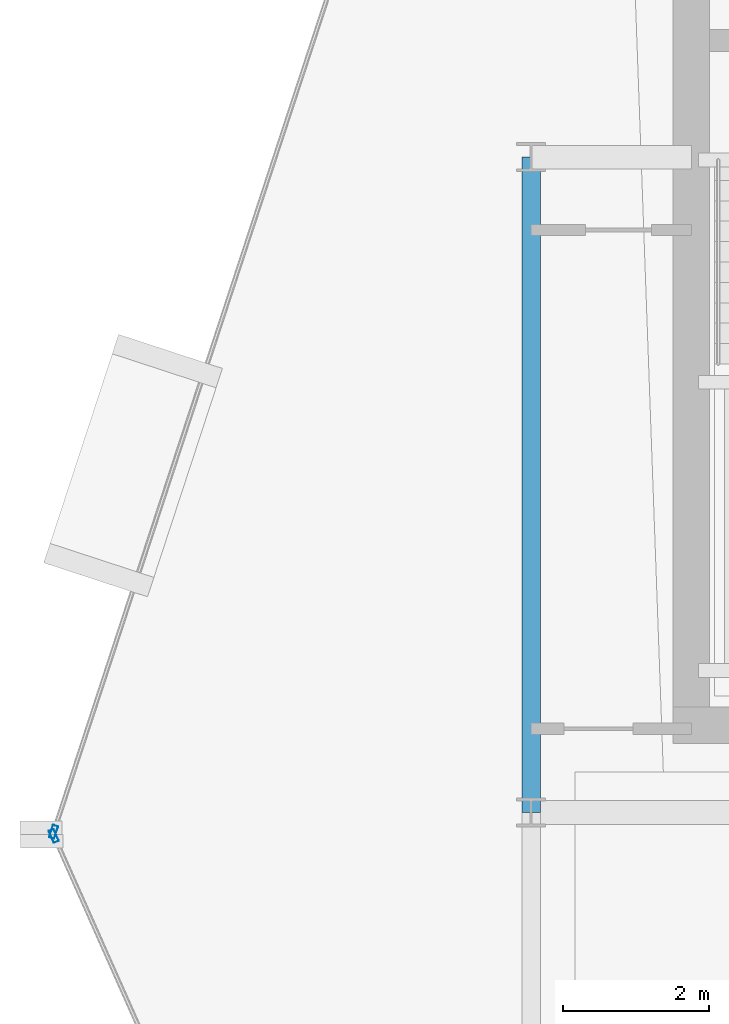
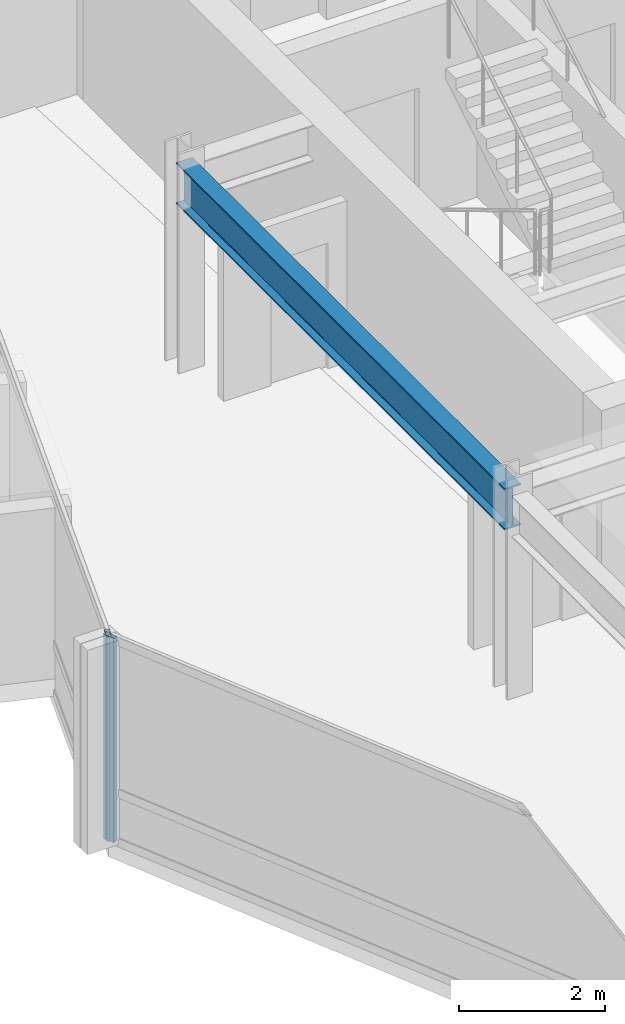
# One storey, part 6 of 28: 2 members, 1 beam, 2 elements without a shape of their own.
"""IFC4 building model written with IfcOpenShell, lengths in metres."""

from ifc_helpers import new_model, si_unit, direction, frame, origin, origin_2d, place, context, subcontext, project, spatial, hollow_rectangle, i_section, extrude, material, layer, layer_set, material_profile, profile_set, type_object, element, aggregate, save


model = new_model("IFC4")

# Units and contexts
model_context = context("Model", 3, precision=1e-05, world=origin(), true_north=direction((0.0, 1.0)))
body_context = subcontext(model_context, "Body", "Model", "MODEL_VIEW")
ifc_project = project(units=[si_unit("LENGTHUNIT", "METRE"), si_unit("AREAUNIT", "SQUARE_METRE"), si_unit("VOLUMEUNIT", "CUBIC_METRE"), si_unit("PLANEANGLEUNIT", "RADIAN"), si_unit("MASSUNIT", "GRAM", prefix="KILO")], contexts=[model_context])

# Site, building, storey
site_placement = place(None, origin())
site = spatial("IfcSite", under=ifc_project, at=site_placement, CompositionType="ELEMENT")
building_placement = place(site_placement, origin())
building = spatial("IfcBuilding", under=site, at=building_placement, Name="Solvaryn Broadcast Tower", CompositionType="ELEMENT")
storey_placement = place(building_placement, frame((0.0, 0.0, 209.89990234375)))
storey = spatial("IfcBuildingStorey", under=building, at=storey_placement, Name="L52", CompositionType="ELEMENT", Elevation=209.89990234375)

# Beam
ifc_material_1 = material(Name="Steel ASTM A992 Grade 50", Category="steel")
ifc_material_profile_1 = material_profile(ifc_material_1, i_section(OverallWidth=0.256103515625, OverallDepth=0.693115234375, WebThickness=0.014404296875, FlangeThickness=0.023681640625, FilletRadius=0.01611328125, at=origin_2d()))
ifc_profile_set_1 = profile_set([ifc_material_profile_1], Name="Steel ASTM A992 Grade 50")
beam_type = type_object("IfcBeamType", Name="BM-SP3-W27X114", PredefinedType="USERDEFINED", material=ifc_profile_set_1)
beam_placement = place(storey_placement, frame((9.0, 27.0, 3.073486328125), z_axis=(0.0, 1.0, 0.0), x_axis=(-1.0, 0.0, 0.0)))
element("IfcBeam", 1, at=beam_placement, inside=storey, type_object=beam_type, Name="L52 Spandrel Beam Y (27-36 @ X=9)", ObjectType="SPANDREL", PredefinedType="USERDEFINED", context=body_context, shape_type="SweptSolid", body=[
    extrude(i_section(OverallWidth=0.256103515625, OverallDepth=0.693115234375, WebThickness=0.014404296875, FlangeThickness=0.023681640625, FilletRadius=0.01611328125, at=origin_2d()), origin(), (0.0, 0.0, 1.0), 9.0),
])

# Curtain wall, member
ifc_material_2 = material(Name="Aluminium and Terracotta Unitised Curtain Wall", Category="masonry")
ifc_layer_1 = layer(ifc_material_2, 0.199951171875)
ifc_layer_set_1 = layer_set([ifc_layer_1], Name="CW-SYS2-LOWMID")
curtain_wall_type_1 = type_object("IfcCurtainWallType", Name="CW-SYS2-LOWMID", PredefinedType="NOTDEFINED", material=ifc_layer_set_1)
curtain_wall_1_placement = place(storey_placement, origin())
curtain_wall_1 = element("IfcCurtainWall", 2, at=curtain_wall_1_placement, inside=storey, type_object=curtain_wall_type_1, Name="L52 Curtain Wall DR1", PredefinedType="NOTDEFINED")
ifc_material_3 = material(Name="Anodised Aluminium 6063-T6", Category="aluminium")
ifc_material_profile_2 = material_profile(ifc_material_3, hollow_rectangle(XDim=0.074951171875, YDim=0.179931640625, WallThickness=0.00390625, InnerFilletRadius=0.00390625, OuterFilletRadius=0.008056640625, at=origin_2d()))
ifc_profile_set_2 = profile_set([ifc_material_profile_2], Name="Anodised Aluminium 6063-T6")
member_type = type_object("IfcMemberType", Name="CW-MUL-180", PredefinedType="MULLION", material=ifc_profile_set_2)
member_1_placement = place(storey_placement, frame((2.4423828125, 26.734619140625, 0.0), z_axis=(0.0, 0.0, 1.0), x_axis=(0.950226902099, -0.311558717623, 0.0)))
member_1 = element("IfcMember", 3, at=member_1_placement, type_object=member_type, Name="CWS2 mullion 2", PredefinedType="MULLION", context=body_context, shape_type="SweptSolid", body=[
    extrude(hollow_rectangle(XDim=0.074951171875, YDim=0.179931640625, WallThickness=0.00390625, InnerFilletRadius=0.00390625, OuterFilletRadius=0.008056640625, at=origin_2d()), origin(), (0.0, 0.0, 1.0), 3.420166015625),
])
aggregate(curtain_wall_1, [member_1])

ifc_material_4 = material(Name="Aluminium and Terracotta Unitised Curtain Wall", Category="masonry")
ifc_layer_2 = layer(ifc_material_4, 0.239990234375)
ifc_layer_set_2 = layer_set([ifc_layer_2], Name="CW-SYS3-BAYBOX")
curtain_wall_type_2 = type_object("IfcCurtainWallType", Name="CW-SYS3-BAYBOX", PredefinedType="NOTDEFINED", material=ifc_layer_set_2)
curtain_wall_2_placement = place(storey_placement, origin())
curtain_wall_2 = element("IfcCurtainWall", 4, at=curtain_wall_2_placement, inside=storey, type_object=curtain_wall_type_2, Name="L52 Curtain Wall DR2", PredefinedType="NOTDEFINED")
member_2_placement = place(storey_placement, frame((2.445068359375, 26.678466796875, 0.0), z_axis=(0.0, 0.0, 1.0), x_axis=(0.913916902365, 0.405901337237, 0.0)))
member_2 = element("IfcMember", 5, at=member_2_placement, type_object=member_type, Name="CWS3 mullion 1", PredefinedType="MULLION", context=body_context, shape_type="SweptSolid", body=[
    extrude(hollow_rectangle(XDim=0.074951171875, YDim=0.179931640625, WallThickness=0.00390625, InnerFilletRadius=0.00390625, OuterFilletRadius=0.008056640625, at=origin_2d()), origin(), (0.0, 0.0, 1.0), 3.420166015625),
])
aggregate(curtain_wall_2, [member_2])

save(model, "model.ifc")
